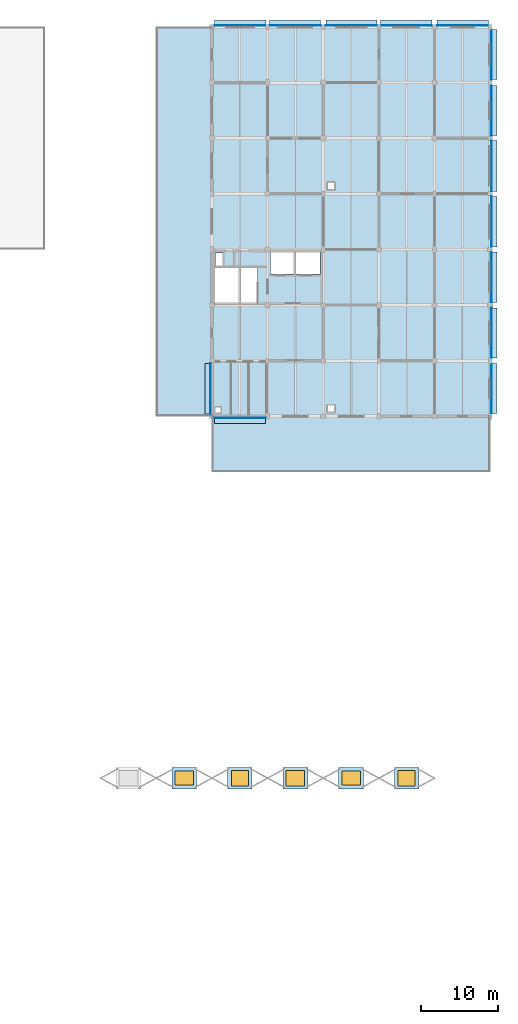
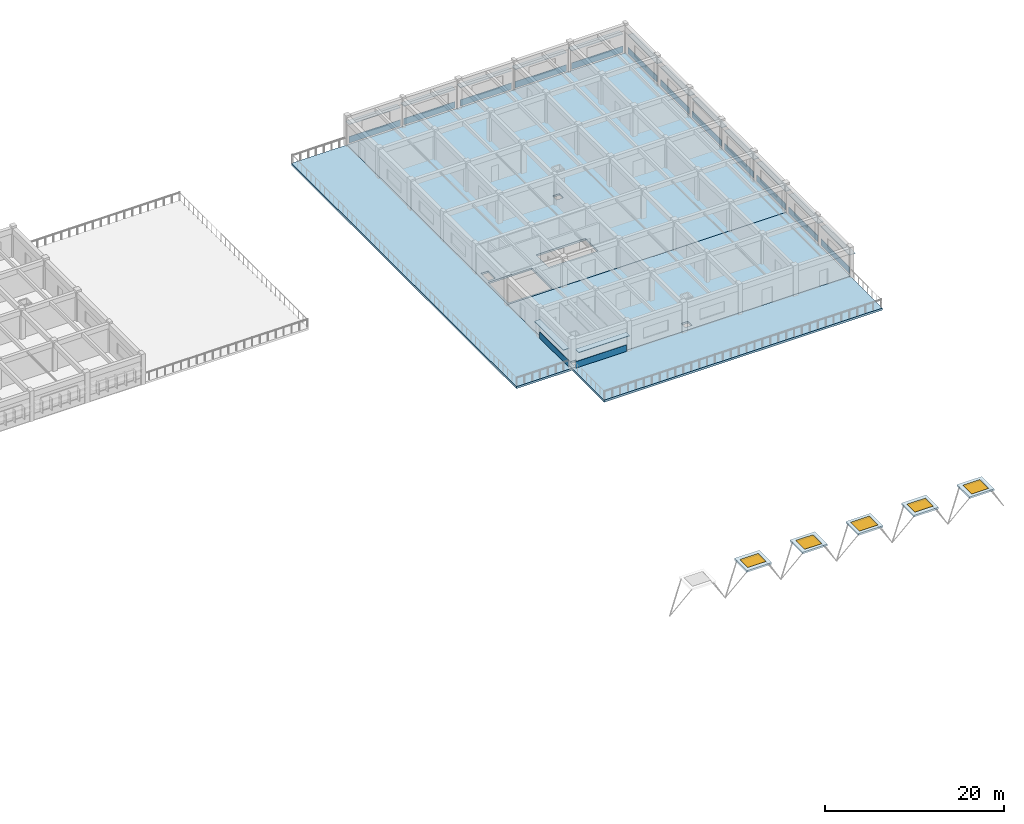
# One storey, part 18 of 38: 28 plates, 9 slabs, 5 windows, 5 openings.
"""IFC4 building model written with IfcOpenShell, lengths in metres."""

from ifc_helpers import new_model, si_unit, direction, frame, origin, origin_2d, place, context, subcontext, project, spatial, polyline, rectangle, outline, extrude, material, layer, layer_set, type_object, element, fill, save


model = new_model("IFC4")

# Units and contexts
model_context = context("Model", 3, precision=1e-05, world=origin(), true_north=direction((0.0, 1.0)))
body_context = subcontext(model_context, "Body", "Model", "MODEL_VIEW")
ifc_project = project(units=[si_unit("LENGTHUNIT", "METRE"), si_unit("AREAUNIT", "SQUARE_METRE"), si_unit("VOLUMEUNIT", "CUBIC_METRE"), si_unit("PLANEANGLEUNIT", "RADIAN"), si_unit("MASSUNIT", "GRAM", prefix="KILO")], contexts=[model_context])

# Site, building, storey
site_placement = place(None, origin())
site = spatial("IfcSite", under=ifc_project, at=site_placement, CompositionType="ELEMENT")
building_placement = place(site_placement, origin())
building = spatial("IfcBuilding", under=site, at=building_placement, Name="Thalmaran Polytechnic", CompositionType="ELEMENT")
storey_placement = place(building_placement, frame((0.0, 0.0, 18.60009765625)))
storey = spatial("IfcBuildingStorey", under=building, at=storey_placement, Name="L04", CompositionType="ELEMENT", Elevation=18.60009765625)

# Plates
ifc_material_1 = material(Name="Anodised aluminium spandrel band", Category="aluminium")
ifc_layer_1 = layer(ifc_material_1, 0.054931640625, Name="Anodised aluminium spandrel band")
ifc_layer_set_1 = layer_set([ifc_layer_1], Name="Anodised aluminium spandrel band")
plate_type_1 = type_object("IfcPlateType", Name="PT-BD01", PredefinedType="SHEET", material=ifc_layer_set_1)
for number, where, z_axis, x_axis, name in (
    (1, (140.449951171875, 122.570068359375, 0.02001953125), (0.0, 0.0, 1.0), (1.0, 0.0, 0.0), "Streamline Horizontal Spandrel Band L04-002"),
    (2, (147.550048828125, 122.570068359375, 0.02001953125), (0.0, 0.0, 1.0), (1.0, 0.0, 0.0), "Streamline Horizontal Spandrel Band L04-003"),
    (3, (154.85009765625, 122.570068359375, 0.02001953125), (0.0, 0.0, 1.0), (1.0, 0.0, 0.0), "Streamline Horizontal Spandrel Band L04-004"),
    (4, (161.949951171875, 122.570068359375, 0.02001953125), (0.0, 0.0, 1.0), (1.0, 0.0, 0.0), "Streamline Horizontal Spandrel Band L04-005"),
    (5, (169.25, 122.570068359375, 0.02001953125), (0.0, 0.0, 1.0), (1.0, 0.0, 0.0), "Streamline Horizontal Spandrel Band L04-006"),
):
    element("IfcPlate", number, at=place(storey_placement, frame(where, z_axis=z_axis, x_axis=x_axis)), inside=storey, type_object=plate_type_1, Name=name, PredefinedType="SHEET", context=body_context, shape_type="SweptSolid", body=[
        extrude(rectangle(XDim=6.639892578125, YDim=0.054931640625, at=origin_2d()), origin(), (0.0, 0.0, 1.0), 0.8798828125),
    ])
plate_1_placement = place(storey_placement, frame((172.969970703125, 118.827392578125, 0.02001953125), z_axis=(0.0, 0.0, 1.0), x_axis=(0.0, -1.0, 0.0)))
element("IfcPlate", 6, at=plate_1_placement, inside=storey, type_object=plate_type_1, Name="Streamline Horizontal Spandrel Band L04-007", PredefinedType="SHEET", context=body_context, shape_type="SweptSolid", body=[
    extrude(rectangle(XDim=6.465087890625, YDim=0.054931640625, at=origin_2d()), origin(), (0.0, 0.0, 1.0), 0.8798828125),
])
plate_2_placement = place(storey_placement, frame((172.969970703125, 111.5625, 0.02001953125), z_axis=(0.0, 0.0, 1.0), x_axis=(0.0, -1.0, 0.0)))
element("IfcPlate", 7, at=plate_2_placement, inside=storey, type_object=plate_type_1, Name="Streamline Horizontal Spandrel Band L04-008", PredefinedType="SHEET", context=body_context, shape_type="SweptSolid", body=[
    extrude(rectangle(XDim=6.485107421875, YDim=0.054931640625, at=origin_2d()), origin(), (0.0, 0.0, 1.0), 0.8798828125),
])
plate_3_placement = place(storey_placement, frame((172.969970703125, 104.405029296875, 0.02001953125), z_axis=(0.0, 0.0, 1.0), x_axis=(0.0, -1.0, 0.0)))
element("IfcPlate", 8, at=plate_3_placement, inside=storey, type_object=plate_type_1, Name="Streamline Horizontal Spandrel Band L04-009", PredefinedType="SHEET", context=body_context, shape_type="SweptSolid", body=[
    extrude(rectangle(XDim=6.550048828125, YDim=0.054931640625, at=origin_2d()), origin(), (0.0, 0.0, 1.0), 0.8798828125),
])
plate_4_placement = place(storey_placement, frame((172.969970703125, 97.20751953125, 0.02001953125), z_axis=(0.0, 0.0, 1.0), x_axis=(0.0, -1.0, 0.0)))
element("IfcPlate", 9, at=plate_4_placement, inside=storey, type_object=plate_type_1, Name="Streamline Horizontal Spandrel Band L04-010", PredefinedType="SHEET", context=body_context, shape_type="SweptSolid", body=[
    extrude(rectangle(XDim=6.52490234375, YDim=0.054931640625, at=origin_2d()), origin(), (0.0, 0.0, 1.0), 0.8798828125),
])
plate_5_placement = place(storey_placement, frame((172.969970703125, 90.007568359375, 0.02001953125), z_axis=(0.0, 0.0, 1.0), x_axis=(0.0, -1.0, 0.0)))
element("IfcPlate", 10, at=plate_5_placement, inside=storey, type_object=plate_type_1, Name="Streamline Horizontal Spandrel Band L04-011", PredefinedType="SHEET", context=body_context, shape_type="SweptSolid", body=[
    extrude(rectangle(XDim=6.4951171875, YDim=0.054931640625, at=origin_2d()), origin(), (0.0, 0.0, 1.0), 0.8798828125),
])
plate_6_placement = place(storey_placement, frame((172.969970703125, 82.7900390625, 0.02001953125), z_axis=(0.0, 0.0, 1.0), x_axis=(0.0, -1.0, 0.0)))
element("IfcPlate", 11, at=plate_6_placement, inside=storey, type_object=plate_type_1, Name="Streamline Horizontal Spandrel Band L04-012", PredefinedType="SHEET", context=body_context, shape_type="SweptSolid", body=[
    extrude(rectangle(XDim=6.5, YDim=0.054931640625, at=origin_2d()), origin(), (0.0, 0.0, 1.0), 0.8798828125),
])
plate_7_placement = place(storey_placement, frame((172.969970703125, 75.62744140625, 0.02001953125), z_axis=(0.0, 0.0, 1.0), x_axis=(0.0, -1.0, 0.0)))
element("IfcPlate", 12, at=plate_7_placement, inside=storey, type_object=plate_type_1, Name="Streamline Horizontal Spandrel Band L04-013", PredefinedType="SHEET", context=body_context, shape_type="SweptSolid", body=[
    extrude(rectangle(XDim=6.465087890625, YDim=0.054931640625, at=origin_2d()), origin(), (0.0, 0.0, 1.0), 0.8798828125),
])
plate_8_placement = place(storey_placement, frame((140.4375, 71.804931640625, 0.02001953125), z_axis=(0.0, 0.0, 1.0), x_axis=(-1.0, 0.0, 0.0)))
element("IfcPlate", 13, at=plate_8_placement, inside=storey, type_object=plate_type_1, Name="Streamline Horizontal Spandrel Band L04-018", PredefinedType="SHEET", context=body_context, shape_type="SweptSolid", body=[
    extrude(rectangle(XDim=6.5849609375, YDim=0.054931640625, at=origin_2d()), origin(), (0.0, 0.0, 1.0), 0.8798828125),
])
plate_9_placement = place(storey_placement, frame((136.60498046875, 75.607421875, 0.02001953125), z_axis=(0.0, 0.0, 1.0), x_axis=(0.0, 1.0, 0.0)))
element("IfcPlate", 14, at=plate_9_placement, inside=storey, type_object=plate_type_1, Name="Streamline Horizontal Spandrel Band L04-019", PredefinedType="SHEET", context=body_context, shape_type="SweptSolid", body=[
    extrude(rectangle(XDim=6.52490234375, YDim=0.054931640625, at=origin_2d()), origin(), (0.0, 0.0, 1.0), 0.8798828125),
])
ifc_material_2 = material(Name="Anodised aluminium sun-hood eyebrow", Category="aluminium")
ifc_layer_2 = layer(ifc_material_2, 0.0849609375, Name="Anodised aluminium sun-hood eyebrow")
ifc_layer_set_2 = layer_set([ifc_layer_2], Name="Anodised aluminium sun-hood eyebrow")
plate_type_2 = type_object("IfcPlateType", Name="PT-EB01", PredefinedType="SHEET", material=ifc_layer_set_2)
for number, where, z_axis, x_axis, name in (
    (15, (140.449951171875, 122.9150390625, 2.517333984375), (0.0, 0.0, 1.0), (1.0, 0.0, 0.0), "Streamline Sun-Hood Eyebrow L04-002"),
    (16, (147.550048828125, 122.9150390625, 2.517333984375), (0.0, 0.0, 1.0), (1.0, 0.0, 0.0), "Streamline Sun-Hood Eyebrow L04-003"),
    (17, (154.85009765625, 122.9150390625, 2.517333984375), (0.0, 0.0, 1.0), (1.0, 0.0, 0.0), "Streamline Sun-Hood Eyebrow L04-004"),
    (18, (161.949951171875, 122.9150390625, 2.517333984375), (0.0, 0.0, 1.0), (1.0, 0.0, 0.0), "Streamline Sun-Hood Eyebrow L04-005"),
    (19, (169.25, 122.9150390625, 2.517333984375), (0.0, 0.0, 1.0), (1.0, 0.0, 0.0), "Streamline Sun-Hood Eyebrow L04-006"),
):
    element("IfcPlate", number, at=place(storey_placement, frame(where, z_axis=z_axis, x_axis=x_axis)), inside=storey, type_object=plate_type_2, Name=name, PredefinedType="SHEET", context=body_context, shape_type="SweptSolid", body=[
        extrude(rectangle(XDim=6.639892578125, YDim=0.760009765625, at=origin_2d()), origin(), (0.0, 0.0, 1.0), 0.0849609375),
    ])
plate_10_placement = place(storey_placement, frame((173.31494140625, 118.827392578125, 2.517333984375), z_axis=(0.0, 0.0, 1.0), x_axis=(0.0, -1.0, 0.0)))
element("IfcPlate", 20, at=plate_10_placement, inside=storey, type_object=plate_type_2, Name="Streamline Sun-Hood Eyebrow L04-007", PredefinedType="SHEET", context=body_context, shape_type="SweptSolid", body=[
    extrude(rectangle(XDim=6.465087890625, YDim=0.760009765625, at=origin_2d()), origin(), (0.0, 0.0, 1.0), 0.0849609375),
])
plate_11_placement = place(storey_placement, frame((173.31494140625, 111.5625, 2.517333984375), z_axis=(0.0, 0.0, 1.0), x_axis=(0.0, -1.0, 0.0)))
element("IfcPlate", 21, at=plate_11_placement, inside=storey, type_object=plate_type_2, Name="Streamline Sun-Hood Eyebrow L04-008", PredefinedType="SHEET", context=body_context, shape_type="SweptSolid", body=[
    extrude(rectangle(XDim=6.485107421875, YDim=0.760009765625, at=origin_2d()), origin(), (0.0, 0.0, 1.0), 0.0849609375),
])
plate_12_placement = place(storey_placement, frame((173.31494140625, 104.405029296875, 2.517333984375), z_axis=(0.0, 0.0, 1.0), x_axis=(0.0, -1.0, 0.0)))
element("IfcPlate", 22, at=plate_12_placement, inside=storey, type_object=plate_type_2, Name="Streamline Sun-Hood Eyebrow L04-009", PredefinedType="SHEET", context=body_context, shape_type="SweptSolid", body=[
    extrude(rectangle(XDim=6.550048828125, YDim=0.760009765625, at=origin_2d()), origin(), (0.0, 0.0, 1.0), 0.0849609375),
])
plate_13_placement = place(storey_placement, frame((173.31494140625, 97.20751953125, 2.517333984375), z_axis=(0.0, 0.0, 1.0), x_axis=(0.0, -1.0, 0.0)))
element("IfcPlate", 23, at=plate_13_placement, inside=storey, type_object=plate_type_2, Name="Streamline Sun-Hood Eyebrow L04-010", PredefinedType="SHEET", context=body_context, shape_type="SweptSolid", body=[
    extrude(rectangle(XDim=6.52490234375, YDim=0.760009765625, at=origin_2d()), origin(), (0.0, 0.0, 1.0), 0.0849609375),
])
plate_14_placement = place(storey_placement, frame((173.31494140625, 90.007568359375, 2.517333984375), z_axis=(0.0, 0.0, 1.0), x_axis=(0.0, -1.0, 0.0)))
element("IfcPlate", 24, at=plate_14_placement, inside=storey, type_object=plate_type_2, Name="Streamline Sun-Hood Eyebrow L04-011", PredefinedType="SHEET", context=body_context, shape_type="SweptSolid", body=[
    extrude(rectangle(XDim=6.4951171875, YDim=0.760009765625, at=origin_2d()), origin(), (0.0, 0.0, 1.0), 0.0849609375),
])
plate_15_placement = place(storey_placement, frame((173.31494140625, 82.7900390625, 2.517333984375), z_axis=(0.0, 0.0, 1.0), x_axis=(0.0, -1.0, 0.0)))
element("IfcPlate", 25, at=plate_15_placement, inside=storey, type_object=plate_type_2, Name="Streamline Sun-Hood Eyebrow L04-012", PredefinedType="SHEET", context=body_context, shape_type="SweptSolid", body=[
    extrude(rectangle(XDim=6.5, YDim=0.760009765625, at=origin_2d()), origin(), (0.0, 0.0, 1.0), 0.0849609375),
])
plate_16_placement = place(storey_placement, frame((173.31494140625, 75.62744140625, 2.517333984375), z_axis=(0.0, 0.0, 1.0), x_axis=(0.0, -1.0, 0.0)))
element("IfcPlate", 26, at=plate_16_placement, inside=storey, type_object=plate_type_2, Name="Streamline Sun-Hood Eyebrow L04-013", PredefinedType="SHEET", context=body_context, shape_type="SweptSolid", body=[
    extrude(rectangle(XDim=6.465087890625, YDim=0.760009765625, at=origin_2d()), origin(), (0.0, 0.0, 1.0), 0.0849609375),
])
plate_17_placement = place(storey_placement, frame((140.4375, 71.4599609375, 2.517333984375), z_axis=(0.0, 0.0, 1.0), x_axis=(-1.0, 0.0, 0.0)))
element("IfcPlate", 27, at=plate_17_placement, inside=storey, type_object=plate_type_2, Name="Streamline Sun-Hood Eyebrow L04-018", PredefinedType="SHEET", context=body_context, shape_type="SweptSolid", body=[
    extrude(rectangle(XDim=6.5849609375, YDim=0.760009765625, at=origin_2d()), origin(), (0.0, 0.0, 1.0), 0.0849609375),
])
plate_18_placement = place(storey_placement, frame((136.260009765625, 75.607421875, 2.517333984375), z_axis=(0.0, 0.0, 1.0), x_axis=(0.0, 1.0, 0.0)))
element("IfcPlate", 28, at=plate_18_placement, inside=storey, type_object=plate_type_2, Name="Streamline Sun-Hood Eyebrow L04-019", PredefinedType="SHEET", context=body_context, shape_type="SweptSolid", body=[
    extrude(rectangle(XDim=6.52490234375, YDim=0.760009765625, at=origin_2d()), origin(), (0.0, 0.0, 1.0), 0.0849609375),
])

# Slabs
ifc_material_3 = material(Name="Concrete C40/50", Category="concrete")
ifc_layer_3 = layer(ifc_material_3, 0.260009765625, Name="Concrete C40/50")
ifc_layer_set_3 = layer_set([ifc_layer_3], Name="Concrete C40/50")
slab_type_1 = type_object("IfcSlabType", Name="SL-FL06", PredefinedType="FLOOR", material=ifc_layer_set_3)
slab_1_placement = place(storey_placement, frame((0.0, 0.0, -0.260009765625)))
element("IfcSlab", 29, at=slab_1_placement, inside=storey, type_object=slab_type_1, Name="V5N L04 Structural Slab", PredefinedType="FLOOR", context=body_context, shape_type="SweptSolid", body=[
    extrude(outline(polyline([(151.199951171875, 122.39990234375), (158.39990234375, 122.39990234375), (165.60009765625, 122.39990234375), (172.800048828125, 122.39990234375), (172.800048828125, 115.199951171875), (172.800048828125, 108.0), (172.800048828125, 100.800048828125), (172.800048828125, 93.60009765625), (172.800048828125, 86.39990234375), (165.60009765625, 86.39990234375), (158.39990234375, 86.39990234375), (151.199951171875, 86.39990234375), (144.0, 86.39990234375), (136.800048828125, 86.39990234375), (136.800048828125, 93.60009765625), (136.800048828125, 100.800048828125), (136.800048828125, 108.0), (136.800048828125, 115.199951171875), (136.800048828125, 122.39990234375), (144.0, 122.39990234375), (151.199951171875, 122.39990234375)]), holes=[polyline([(152.64990234375, 102.25), (151.75, 102.25), (151.75, 101.35009765625), (152.64990234375, 101.35009765625), (152.64990234375, 102.25)]), polyline([(144.39990234375, 93.199951171875), (144.39990234375, 90.39990234375), (150.800048828125, 90.39990234375), (150.800048828125, 93.199951171875), (144.39990234375, 93.199951171875)]), polyline([(142.679931640625, 86.64990234375), (142.679931640625, 91.239990234375), (137.050048828125, 91.239990234375), (137.050048828125, 86.64990234375), (142.679931640625, 86.64990234375)]), polyline([(137.239990234375, 91.5400390625), (138.159912109375, 91.5400390625), (138.159912109375, 93.159912109375), (137.239990234375, 93.159912109375), (137.239990234375, 91.5400390625)])]), origin(), (0.0, 0.0, 1.0), 0.260009765625),
])
slab_2_placement = place(storey_placement, frame((0.0, 0.0, -0.260009765625)))
element("IfcSlab", 30, at=slab_2_placement, inside=storey, type_object=slab_type_1, Name="V5S L04 Structural Slab", PredefinedType="FLOOR", context=body_context, shape_type="SweptSolid", body=[
    extrude(outline(polyline([(158.39990234375, 72.0), (151.199951171875, 72.0), (144.0, 72.0), (136.800048828125, 72.0), (136.800048828125, 79.199951171875), (136.800048828125, 86.39990234375), (144.0, 86.39990234375), (151.199951171875, 86.39990234375), (158.39990234375, 86.39990234375), (165.60009765625, 86.39990234375), (172.800048828125, 86.39990234375), (172.800048828125, 79.199951171875), (172.800048828125, 72.0), (165.60009765625, 72.0), (158.39990234375, 72.0)]), holes=[polyline([(152.64990234375, 73.449951171875), (151.75, 73.449951171875), (151.75, 72.550048828125), (152.64990234375, 72.550048828125), (152.64990234375, 73.449951171875)]), polyline([(137.25, 73.179931640625), (137.25, 72.47998046875), (137.949951171875, 72.47998046875), (137.949951171875, 73.179931640625), (137.25, 73.179931640625)])]), origin(), (0.0, 0.0, 1.0), 0.260009765625),
])

# Slab, opening, window
ifc_layer_4 = layer(ifc_material_3, 0.235107421875, Name="Concrete C40/50")
ifc_layer_set_4 = layer_set([ifc_layer_4], Name="Concrete C40/50")
slab_type_2 = type_object("IfcSlabType", Name="SL-RF02", PredefinedType="ROOF", material=ifc_layer_set_4)
slab_3_placement = place(storey_placement, frame((0.0, 0.0, 3.12255859375)))
slab_3 = element("IfcSlab", 31, at=slab_3_placement, inside=storey, type_object=slab_type_2, Name="Workshop Ridge Skylight Monitor Curb 2", PredefinedType="ROOF", context=body_context, shape_type="SweptSolid", body=[
    extrude(outline(polyline([(131.60009765625, 23.800048828125), (134.800048828125, 23.800048828125), (134.800048828125, 26.60009765625), (131.60009765625, 26.60009765625), (131.60009765625, 23.800048828125)]), holes=[polyline([(132.0, 24.300048828125), (134.39990234375, 24.300048828125), (134.39990234375, 26.10009765625), (132.0, 26.10009765625), (132.0, 24.300048828125)])]), origin(), (0.0, 0.0, 1.0), 0.235107421875),
])
opening_1_placement = place(slab_3_placement, frame((133.199951171875, 25.199951171875, 0.0)))
opening_1 = element("IfcOpeningElement", 32, at=opening_1_placement, cuts=slab_3, Name="Opening SK02", PredefinedType="OPENING", context=body_context, shape_type="SweptSolid", body=[
    extrude(rectangle(XDim=2.39990234375, YDim=1.800048828125, at=origin_2d()), frame((0.0, 0.0, -0.010009765625)), (0.0, 0.0, 1.0), 0.255126953125),
])
ifc_material_4 = material(Name="Thermally broken aluminium and double low-E glass", Category="aluminium")
window_type_1 = type_object("IfcWindowType", Name="WN-SK02", PartitioningType="SINGLE_PANEL", PredefinedType="SKYLIGHT", material=ifc_material_4)
window_1_placement = place(opening_1_placement, frame((0.0, 0.0, 0.18505859375)))
window_1 = element("IfcWindow", 33, at=window_1_placement, inside=storey, type_object=window_type_1, Name="Workshop Ridge Skylight 2", OverallHeight=1.800048828125, OverallWidth=2.39990234375, PartitioningType="SINGLE_PANEL", PredefinedType="SKYLIGHT", context=body_context, shape_type="SweptSolid", body=[
    extrude(rectangle(XDim=2.39990234375, YDim=1.800048828125, at=origin_2d()), origin(), (0.0, 0.0, 1.0), 0.050048828125),
])
fill(opening_1, window_1)

slab_4_placement = place(storey_placement, frame((0.0, 0.0, 3.12255859375)))
slab_4 = element("IfcSlab", 34, at=slab_4_placement, inside=storey, type_object=slab_type_2, Name="Workshop Ridge Skylight Monitor Curb 3", PredefinedType="ROOF", context=body_context, shape_type="SweptSolid", body=[
    extrude(outline(polyline([(138.800048828125, 23.800048828125), (142.0, 23.800048828125), (142.0, 26.60009765625), (138.800048828125, 26.60009765625), (138.800048828125, 23.800048828125)]), holes=[polyline([(139.300048828125, 24.199951171875), (141.5, 24.199951171875), (141.5, 26.199951171875), (139.300048828125, 26.199951171875), (139.300048828125, 24.199951171875)])]), origin(), (0.0, 0.0, 1.0), 0.235107421875),
])
opening_2_placement = place(slab_4_placement, frame((140.39990234375, 25.199951171875, 0.0)))
opening_2 = element("IfcOpeningElement", 35, at=opening_2_placement, cuts=slab_4, Name="Opening SK03", PredefinedType="OPENING", context=body_context, shape_type="SweptSolid", body=[
    extrude(rectangle(XDim=2.199951171875, YDim=2.0, at=origin_2d()), frame((0.0, 0.0, -0.010009765625)), (0.0, 0.0, 1.0), 0.255126953125),
])
window_type_2 = type_object("IfcWindowType", Name="WN-SK03", PartitioningType="SINGLE_PANEL", PredefinedType="SKYLIGHT", material=ifc_material_4)
window_2_placement = place(opening_2_placement, frame((0.0, 0.0, 0.18505859375)))
window_2 = element("IfcWindow", 36, at=window_2_placement, inside=storey, type_object=window_type_2, Name="Workshop Ridge Skylight 3", OverallHeight=2.0, OverallWidth=2.199951171875, PartitioningType="SINGLE_PANEL", PredefinedType="SKYLIGHT", context=body_context, shape_type="SweptSolid", body=[
    extrude(rectangle(XDim=2.199951171875, YDim=2.0, at=origin_2d()), origin(), (0.0, 0.0, 1.0), 0.050048828125),
])
fill(opening_2, window_2)

slab_5_placement = place(storey_placement, frame((0.0, 0.0, 3.12255859375)))
slab_5 = element("IfcSlab", 37, at=slab_5_placement, inside=storey, type_object=slab_type_2, Name="Workshop Ridge Skylight Monitor Curb 4", PredefinedType="ROOF", context=body_context, shape_type="SweptSolid", body=[
    extrude(outline(polyline([(146.0, 23.800048828125), (149.199951171875, 23.800048828125), (149.199951171875, 26.60009765625), (146.0, 26.60009765625), (146.0, 23.800048828125)]), holes=[polyline([(146.39990234375, 24.199951171875), (148.800048828125, 24.199951171875), (148.800048828125, 26.199951171875), (146.39990234375, 26.199951171875), (146.39990234375, 24.199951171875)])]), origin(), (0.0, 0.0, 1.0), 0.235107421875),
])
opening_3_placement = place(slab_5_placement, frame((147.60009765625, 25.199951171875, 0.0)))
opening_3 = element("IfcOpeningElement", 38, at=opening_3_placement, cuts=slab_5, Name="Opening SK01", PredefinedType="OPENING", context=body_context, shape_type="SweptSolid", body=[
    extrude(rectangle(XDim=2.39990234375, YDim=2.0, at=origin_2d()), frame((0.0, 0.0, -0.010009765625)), (0.0, 0.0, 1.0), 0.255126953125),
])
window_type_3 = type_object("IfcWindowType", Name="WN-SK01", PartitioningType="SINGLE_PANEL", PredefinedType="SKYLIGHT", material=ifc_material_4)
window_3_placement = place(opening_3_placement, frame((0.0, 0.0, 0.18505859375)))
window_3 = element("IfcWindow", 39, at=window_3_placement, inside=storey, type_object=window_type_3, Name="Workshop Ridge Skylight 4", OverallHeight=2.0, OverallWidth=2.39990234375, PartitioningType="SINGLE_PANEL", PredefinedType="SKYLIGHT", context=body_context, shape_type="SweptSolid", body=[
    extrude(rectangle(XDim=2.39990234375, YDim=2.0, at=origin_2d()), origin(), (0.0, 0.0, 1.0), 0.050048828125),
])
fill(opening_3, window_3)

slab_6_placement = place(storey_placement, frame((0.0, 0.0, 3.12255859375)))
slab_6 = element("IfcSlab", 40, at=slab_6_placement, inside=storey, type_object=slab_type_2, Name="Workshop Ridge Skylight Monitor Curb 5", PredefinedType="ROOF", context=body_context, shape_type="SweptSolid", body=[
    extrude(outline(polyline([(153.199951171875, 23.800048828125), (156.39990234375, 23.800048828125), (156.39990234375, 26.60009765625), (153.199951171875, 26.60009765625), (153.199951171875, 23.800048828125)]), holes=[polyline([(153.60009765625, 24.300048828125), (156.0, 24.300048828125), (156.0, 26.10009765625), (153.60009765625, 26.10009765625), (153.60009765625, 24.300048828125)])]), origin(), (0.0, 0.0, 1.0), 0.235107421875),
])
opening_4_placement = place(slab_6_placement, frame((154.800048828125, 25.199951171875, 0.0)))
opening_4 = element("IfcOpeningElement", 41, at=opening_4_placement, cuts=slab_6, Name="Opening SK02", PredefinedType="OPENING", context=body_context, shape_type="SweptSolid", body=[
    extrude(rectangle(XDim=2.39990234375, YDim=1.800048828125, at=origin_2d()), frame((0.0, 0.0, -0.010009765625)), (0.0, 0.0, 1.0), 0.255126953125),
])
window_4_placement = place(opening_4_placement, frame((0.0, 0.0, 0.18505859375)))
window_4 = element("IfcWindow", 42, at=window_4_placement, inside=storey, type_object=window_type_1, Name="Workshop Ridge Skylight 5", OverallHeight=1.800048828125, OverallWidth=2.39990234375, PartitioningType="SINGLE_PANEL", PredefinedType="SKYLIGHT", context=body_context, shape_type="SweptSolid", body=[
    extrude(rectangle(XDim=2.39990234375, YDim=1.800048828125, at=origin_2d()), origin(), (0.0, 0.0, 1.0), 0.050048828125),
])
fill(opening_4, window_4)

slab_7_placement = place(storey_placement, frame((0.0, 0.0, 3.12255859375)))
slab_7 = element("IfcSlab", 43, at=slab_7_placement, inside=storey, type_object=slab_type_2, Name="Workshop Ridge Skylight Monitor Curb 6", PredefinedType="ROOF", context=body_context, shape_type="SweptSolid", body=[
    extrude(outline(polyline([(160.39990234375, 23.800048828125), (163.60009765625, 23.800048828125), (163.60009765625, 26.60009765625), (160.39990234375, 26.60009765625), (160.39990234375, 23.800048828125)]), holes=[polyline([(160.89990234375, 24.199951171875), (163.10009765625, 24.199951171875), (163.10009765625, 26.199951171875), (160.89990234375, 26.199951171875), (160.89990234375, 24.199951171875)])]), origin(), (0.0, 0.0, 1.0), 0.235107421875),
])
opening_5_placement = place(slab_7_placement, frame((162.0, 25.199951171875, 0.0)))
opening_5 = element("IfcOpeningElement", 44, at=opening_5_placement, cuts=slab_7, Name="Opening SK03", PredefinedType="OPENING", context=body_context, shape_type="SweptSolid", body=[
    extrude(rectangle(XDim=2.199951171875, YDim=2.0, at=origin_2d()), frame((0.0, 0.0, -0.010009765625)), (0.0, 0.0, 1.0), 0.255126953125),
])
window_5_placement = place(opening_5_placement, frame((0.0, 0.0, 0.18505859375)))
window_5 = element("IfcWindow", 45, at=window_5_placement, inside=storey, type_object=window_type_2, Name="Workshop Ridge Skylight 6", OverallHeight=2.0, OverallWidth=2.199951171875, PartitioningType="SINGLE_PANEL", PredefinedType="SKYLIGHT", context=body_context, shape_type="SweptSolid", body=[
    extrude(rectangle(XDim=2.199951171875, YDim=2.0, at=origin_2d()), origin(), (0.0, 0.0, 1.0), 0.050048828125),
])
fill(opening_5, window_5)

# Slabs
ifc_layer_5 = layer(ifc_material_3, 0.284912109375, Name="Concrete C40/50")
ifc_layer_set_5 = layer_set([ifc_layer_5], Name="Concrete C40/50")
slab_type_3 = type_object("IfcSlabType", Name="SL-TR01", PredefinedType="FLOOR", material=ifc_layer_set_5)
slab_8_placement = place(storey_placement, frame((0.0, 0.0, -0.28515625)))
element("IfcSlab", 46, at=slab_8_placement, inside=storey, type_object=slab_type_3, Name="V5 L04 Outdoor Terrace Slab", PredefinedType="FLOOR", context=body_context, shape_type="SweptSolid", body=[
    extrude(outline(polyline([(129.60009765625, 79.199951171875), (129.60009765625, 86.39990234375), (129.60009765625, 93.60009765625), (129.60009765625, 100.800048828125), (129.60009765625, 108.0), (129.60009765625, 115.199951171875), (129.60009765625, 122.39990234375), (136.800048828125, 122.39990234375), (136.800048828125, 115.199951171875), (136.800048828125, 108.0), (136.800048828125, 100.800048828125), (136.800048828125, 93.60009765625), (136.800048828125, 86.39990234375), (136.800048828125, 79.199951171875), (136.800048828125, 72.0), (129.60009765625, 72.0), (129.60009765625, 79.199951171875)])), origin(), (0.0, 0.0, 1.0), 0.28515625),
])
slab_9_placement = place(storey_placement, frame((0.0, 0.0, -0.28515625)))
element("IfcSlab", 47, at=slab_9_placement, inside=storey, type_object=slab_type_3, Name="V5 L04 Outdoor Terrace Slab", PredefinedType="FLOOR", context=body_context, shape_type="SweptSolid", body=[
    extrude(outline(polyline([(136.800048828125, 72.0), (144.0, 72.0), (151.199951171875, 72.0), (158.39990234375, 72.0), (165.60009765625, 72.0), (172.800048828125, 72.0), (172.800048828125, 64.800048828125), (165.60009765625, 64.800048828125), (158.39990234375, 64.800048828125), (151.199951171875, 64.800048828125), (144.0, 64.800048828125), (136.800048828125, 64.800048828125), (136.800048828125, 72.0)])), origin(), (0.0, 0.0, 1.0), 0.28515625),
])

save(model, "model.ifc")
